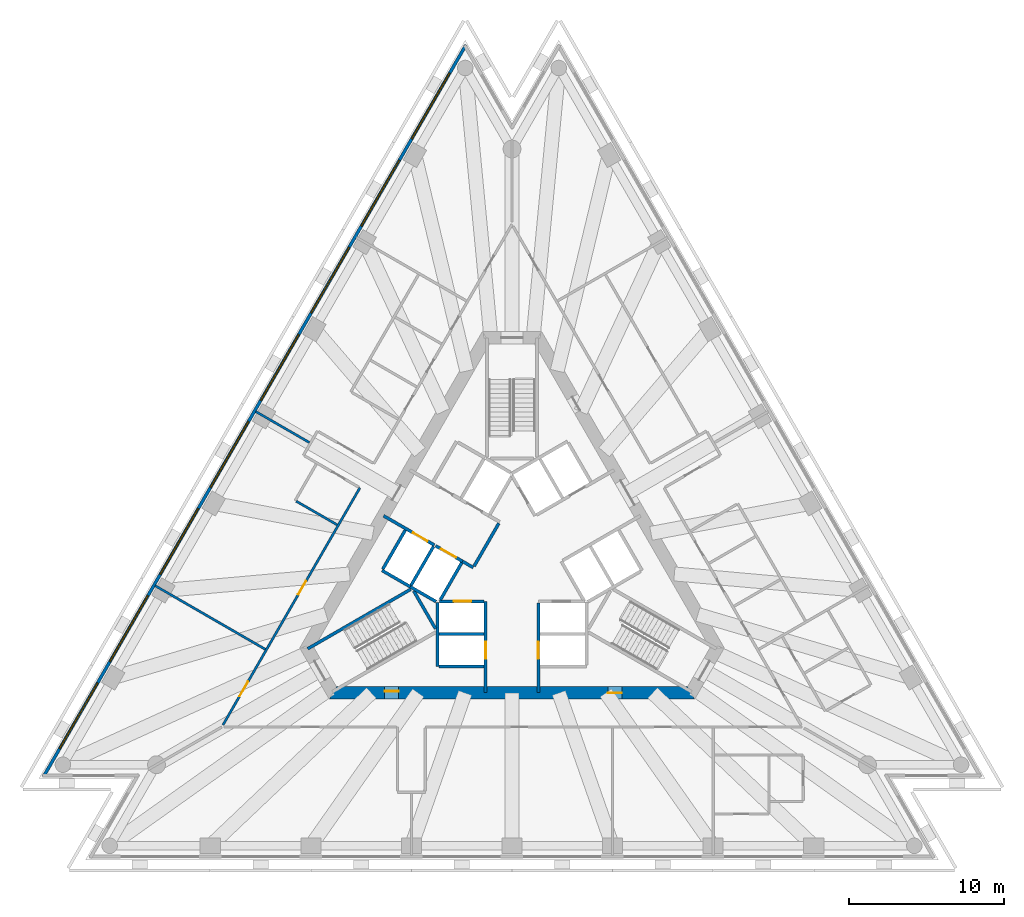
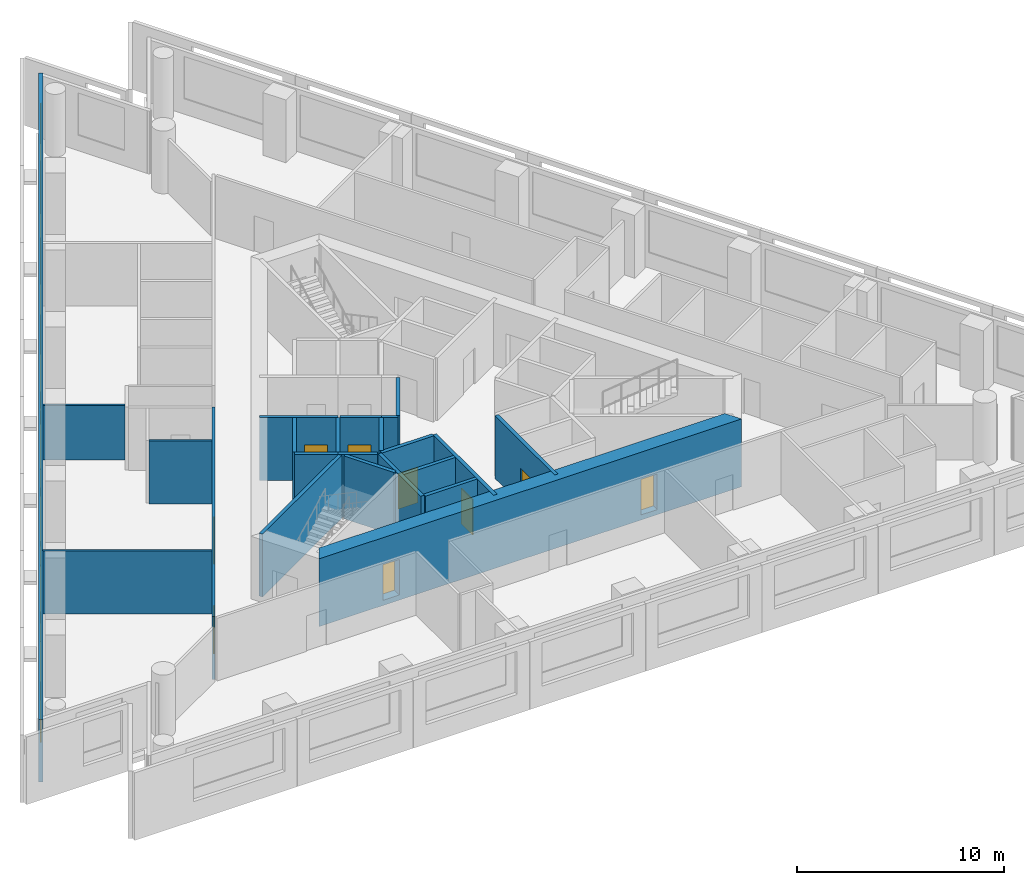
# One storey, part 3 of 9: 23 walls, 9 doors, 8 windows, 17 openings.
"""IFC4 building model written with IfcOpenShell, lengths in metres."""

from ifc_helpers import new_model, si_unit, direction, frame, frame_2d, origin, place, context, subcontext, project, spatial, polyline, rectangle, outline, extrude, material, layer, layer_set, layer_usage, type_object, element, fill, save


model = new_model("IFC4")

# Units and contexts
model_context = context("Model", 3, precision=1e-05, world=origin(), true_north=direction((0.0, 1.0)))
body_context = subcontext(model_context, "Body", "Model", "MODEL_VIEW")
ifc_project = project(units=[si_unit("LENGTHUNIT", "METRE"), si_unit("AREAUNIT", "SQUARE_METRE"), si_unit("VOLUMEUNIT", "CUBIC_METRE"), si_unit("PLANEANGLEUNIT", "RADIAN"), si_unit("MASSUNIT", "GRAM", prefix="KILO")], contexts=[model_context])

# Site, building, storey
site_placement = place(None, origin())
site = spatial("IfcSite", under=ifc_project, at=site_placement, CompositionType="ELEMENT")
building_placement = place(site_placement, origin())
building = spatial("IfcBuilding", under=site, at=building_placement, Name="Triada Interchange Tower", CompositionType="ELEMENT")
storey_placement = place(building_placement, frame((0.0, 0.0, 164.300048828125)))
storey = spatial("IfcBuildingStorey", under=building, at=storey_placement, Name="L38", CompositionType="ELEMENT", Elevation=164.300048828125)

# Walls
ifc_material_1 = material(Name="Concrete C30/37", Category="concrete")
ifc_layer_1 = layer(ifc_material_1, 0.199951171875)
ifc_layer_set_1 = layer_set([ifc_layer_1], Name="CORE WALL 200 EI 120")
wall_type_1 = type_object("IfcWallType", Name="CORE WALL 200 EI 120", PredefinedType="SOLIDWALL", material=ifc_layer_set_1)
wall_1_placement = place(storey_placement, frame((-8.3759765625, -0.70703125, 0.0), z_axis=(0.0, 0.0, 1.0), x_axis=(0.866067520717, -0.499927044236, 0.0)))
element("IfcWall", 1, at=wall_1_placement, inside=storey, type_object=wall_type_1, Name="Wall L38 48", PredefinedType="SOLIDWALL", context=body_context, shape_type="SweptSolid", body=[
    extrude(rectangle(XDim=2.100341796875, YDim=0.199951171875, at=frame_2d((1.05029296875, 0.0))), origin(), (0.0, 0.0, 1.0), 3.699951171875),
])
wall_2_placement = place(storey_placement, frame((-8.325927734375, -0.6201171875, 0.0), z_axis=(0.0, 0.0, 1.0), x_axis=(0.500023687443, 0.866011727401, 0.0)))
element("IfcWall", 2, at=wall_2_placement, inside=storey, type_object=wall_type_1, Name="Wall L38 49", PredefinedType="SOLIDWALL", context=body_context, shape_type="SweptSolid", body=[
    extrude(rectangle(XDim=2.899658203125, YDim=0.199951171875, at=frame_2d((1.44970703125, 0.0))), origin(), (0.0, 0.0, 1.0), 3.699951171875),
])
wall_3_placement = place(storey_placement, frame((-4.800048828125, -6.89990234375, 0.0), z_axis=(0.0, 0.0, 1.0), x_axis=(0.0, 1.0, 0.0)))
element("IfcWall", 3, at=wall_3_placement, inside=storey, type_object=wall_type_1, Name="Wall L38 50", PredefinedType="SOLIDWALL", context=body_context, shape_type="SweptSolid", body=[
    extrude(rectangle(XDim=4.130859375, YDim=0.199951171875, at=frame_2d((2.0654296875, 0.0))), origin(), (0.0, 0.0, 1.0), 3.699951171875),
])
for number, where, z_axis, x_axis, name in (
    (4, (-4.699951171875, -6.89990234375, 0.0), (0.0, 0.0, 1.0), (1.0, 0.0, 0.0), "Wall L38 51"),
    (5, (-4.699951171875, -4.800048828125, 0.0), (0.0, 0.0, 1.0), (1.0, 0.0, 0.0), "Wall L38 53"),
):
    element("IfcWall", number, at=place(storey_placement, frame(where, z_axis=z_axis, x_axis=x_axis)), inside=storey, type_object=wall_type_1, Name=name, PredefinedType="SOLIDWALL", context=body_context, shape_type="SweptSolid", body=[
        extrude(rectangle(XDim=2.89990234375, YDim=0.199951171875, at=frame_2d((1.449951171875, 0.0))), origin(), (0.0, 0.0, 1.0), 3.699951171875),
    ])

# Wall, opening, door
wall_4_placement = place(storey_placement, frame((-1.699951171875, -8.580078125, 0.0), z_axis=(0.0, 0.0, 1.0), x_axis=(0.0, 1.0, 0.0)))
wall_4 = element("IfcWall", 6, at=wall_4_placement, inside=storey, type_object=wall_type_1, Name="Wall L38 55", PredefinedType="SOLIDWALL", context=body_context, shape_type="SweptSolid", body=[
    extrude(rectangle(XDim=5.877197265625, YDim=0.199951171875, at=frame_2d((2.9384765625, 0.0))), origin(), (0.0, 0.0, 1.0), 3.699951171875),
])
opening_1_placement = place(wall_4_placement, frame((2.179931640625, 0.0, 0.0)))
opening_1 = element("IfcOpeningElement", 7, at=opening_1_placement, cuts=wall_4, Name="Opening LD-LR4", PredefinedType="OPENING", context=body_context, shape_type="SweptSolid", body=[
    extrude(rectangle(XDim=1.10009765625, YDim=2.10009765625, at=frame_2d((0.550048828125, 1.050048828125))), frame((0.0, 0.10986328125, 0.0), z_axis=(0.0, -1.0, 0.0), x_axis=(1.0, 0.0, 0.0)), (0.0, 0.0, 1.0), 0.219970703125),
])
ifc_material_2 = material(Name="Steel S235 door leaf", Category="steel")
door_type_1 = type_object("IfcDoorType", Name="LIFT LANDING DOOR 1100 EI 120", OperationType="SLIDING_TO_LEFT", PredefinedType="DOOR", material=ifc_material_2)
door_1_placement = place(opening_1_placement, origin())
door_1 = element("IfcDoor", 8, at=door_1_placement, inside=storey, type_object=door_type_1, Name="LR4 landing door L38", OperationType="SLIDING_TO_LEFT", OverallHeight=2.10009765625, OverallWidth=1.10009765625, PredefinedType="DOOR", context=body_context, shape_type="SweptSolid", body=[
    extrude(rectangle(XDim=1.10009765625, YDim=2.10009765625, at=frame_2d((0.550048828125, 1.050048828125))), frame((0.0, 0.02490234375, 0.0), z_axis=(0.0, -1.0, 0.0), x_axis=(1.0, 0.0, 0.0)), (0.0, 0.0, 1.0), 0.050048828125),
])
fill(opening_1, door_1)

wall_5_placement = place(storey_placement, frame((-4.676025390625, -2.699951171875, 0.0), z_axis=(0.0, 0.0, 1.0), x_axis=(1.0, 0.0, 0.0)))
wall_5 = element("IfcWall", 9, at=wall_5_placement, inside=storey, type_object=wall_type_1, Name="Wall L38 56", PredefinedType="SOLIDWALL", context=body_context, shape_type="SweptSolid", body=[
    extrude(rectangle(XDim=2.873046875, YDim=0.199951171875, at=frame_2d((1.4365234375, 0.0))), origin(), (0.0, 0.0, 1.0), 3.699951171875),
])
opening_2_placement = place(wall_5_placement, frame((0.93701171875, 0.0, 0.0)))
opening_2 = element("IfcOpeningElement", 10, at=opening_2_placement, cuts=wall_5, Name="Opening LD-LR3", PredefinedType="OPENING", context=body_context, shape_type="SweptSolid", body=[
    extrude(rectangle(XDim=1.10009765625, YDim=2.10009765625, at=frame_2d((0.550048828125, 1.050048828125))), frame((0.0, 0.10986328125, 0.0), z_axis=(0.0, -1.0, 0.0), x_axis=(1.0, 0.0, 0.0)), (0.0, 0.0, 1.0), 0.219970703125),
])
door_2_placement = place(opening_2_placement, origin())
door_2 = element("IfcDoor", 11, at=door_2_placement, inside=storey, type_object=door_type_1, Name="LR3 landing door L38", OperationType="SLIDING_TO_LEFT", OverallHeight=2.10009765625, OverallWidth=1.10009765625, PredefinedType="DOOR", context=body_context, shape_type="SweptSolid", body=[
    extrude(rectangle(XDim=1.10009765625, YDim=2.10009765625, at=frame_2d((0.550048828125, 1.050048828125))), frame((0.0, 0.02490234375, 0.0), z_axis=(0.0, -1.0, 0.0), x_axis=(1.0, 0.0, 0.0)), (0.0, 0.0, 1.0), 0.050048828125),
])
fill(opening_2, door_2)

wall_6_placement = place(storey_placement, frame((1.699951171875, -8.580078125, 0.0), z_axis=(0.0, 0.0, 1.0), x_axis=(0.0, 1.0, 0.0)))
wall_6 = element("IfcWall", 12, at=wall_6_placement, inside=storey, type_object=wall_type_1, Name="Wall L38 62", PredefinedType="SOLIDWALL", context=body_context, shape_type="SweptSolid", body=[
    extrude(rectangle(XDim=5.777099609375, YDim=0.199951171875, at=frame_2d((2.888671875, 0.0))), origin(), (0.0, 0.0, 1.0), 3.699951171875),
])
opening_3_placement = place(wall_6_placement, frame((2.179931640625, 0.0, 0.0)))
opening_3 = element("IfcOpeningElement", 13, at=opening_3_placement, cuts=wall_6, Name="Opening LD-LR2", PredefinedType="OPENING", context=body_context, shape_type="SweptSolid", body=[
    extrude(rectangle(XDim=1.10009765625, YDim=2.10009765625, at=frame_2d((0.550048828125, 1.050048828125))), frame((0.0, 0.10986328125, 0.0), z_axis=(0.0, -1.0, 0.0), x_axis=(1.0, 0.0, 0.0)), (0.0, 0.0, 1.0), 0.219970703125),
])
door_3_placement = place(opening_3_placement, origin())
door_3 = element("IfcDoor", 14, at=door_3_placement, inside=storey, type_object=door_type_1, Name="LR2 landing door L38", OperationType="SLIDING_TO_LEFT", OverallHeight=2.10009765625, OverallWidth=1.10009765625, PredefinedType="DOOR", context=body_context, shape_type="SweptSolid", body=[
    extrude(rectangle(XDim=1.10009765625, YDim=2.10009765625, at=frame_2d((0.550048828125, 1.050048828125))), frame((0.0, 0.02490234375, 0.0), z_axis=(0.0, -1.0, 0.0), x_axis=(1.0, 0.0, 0.0)), (0.0, 0.0, 1.0), 0.050048828125),
])
fill(opening_3, door_3)

ifc_layer_2 = layer(ifc_material_1, 0.199951171875)
ifc_layer_set_2 = layer_set([ifc_layer_2], Name="CORE WALL 200 EI 180")
wall_type_2 = type_object("IfcWallType", Name="CORE WALL 200 EI 180", PredefinedType="SOLIDWALL", material=ifc_layer_set_2)
wall_7_placement = place(storey_placement, frame((-8.280029296875, 2.818115234375, 0.0), z_axis=(0.0, 0.0, 1.0), x_axis=(0.86600175068, -0.50004096614, 0.0)))
wall_7 = element("IfcWall", 15, at=wall_7_placement, inside=storey, type_object=wall_type_2, Name="Wall L38 70", PredefinedType="SOLIDWALL", context=body_context, shape_type="SweptSolid", body=[
    extrude(rectangle(XDim=3.781982421875, YDim=0.199951171875, at=frame_2d((1.89111328125, 0.0))), origin(), (0.0, 0.0, 1.0), 3.699951171875),
])
opening_4_placement = place(wall_7_placement, frame((2.179931640625, 0.0, 0.0)))
opening_4 = element("IfcOpeningElement", 16, at=opening_4_placement, cuts=wall_7, Name="Opening LD-SV1", PredefinedType="OPENING", context=body_context, shape_type="SweptSolid", body=[
    extrude(rectangle(XDim=1.10009765625, YDim=2.10009765625, at=frame_2d((0.550048828125, 1.050048828125))), frame((0.0, 0.10986328125, 0.0), z_axis=(0.0, -1.0, 0.0), x_axis=(1.0, 0.0, 0.0)), (0.0, 0.0, 1.0), 0.219970703125),
])
door_4_placement = place(opening_4_placement, origin())
door_4 = element("IfcDoor", 17, at=door_4_placement, inside=storey, type_object=door_type_1, Name="SV1 landing door L38", OperationType="SLIDING_TO_LEFT", OverallHeight=2.10009765625, OverallWidth=1.10009765625, PredefinedType="DOOR", context=body_context, shape_type="SweptSolid", body=[
    extrude(rectangle(XDim=1.10009765625, YDim=2.10009765625, at=frame_2d((0.550048828125, 1.050048828125))), frame((0.0, 0.02490234375, 0.0), z_axis=(0.0, -1.0, 0.0), x_axis=(1.0, 0.0, 0.0)), (0.0, 0.0, 1.0), 0.050048828125),
])
fill(opening_4, door_4)

# Walls
wall_8_placement = place(storey_placement, frame((-3.18798828125, -0.1220703125, 0.0), z_axis=(0.0, 0.0, 1.0), x_axis=(0.865705793592, -0.50055317294, 0.0)))
element("IfcWall", 18, at=wall_8_placement, inside=storey, type_object=wall_type_2, Name="Wall L38 71", PredefinedType="SOLIDWALL", context=body_context, shape_type="SweptSolid", body=[
    extrude(rectangle(XDim=0.796875, YDim=0.199951171875, at=frame_2d((0.3984375, 0.0))), origin(), (0.0, 0.0, 1.0), 3.699951171875),
])
wall_9_placement = place(storey_placement, frame((-2.444091796875, -0.43310546875, 0.0), z_axis=(0.0, 0.0, 1.0), x_axis=(0.500035624827, 0.866004834804, 0.0)))
element("IfcWall", 19, at=wall_9_placement, inside=storey, type_object=wall_type_2, Name="Wall L38 76", PredefinedType="SOLIDWALL", context=body_context, shape_type="SweptSolid", body=[
    extrude(rectangle(XDim=3.194091796875, YDim=0.199951171875, at=frame_2d((1.59716796875, 0.0))), origin(), (0.0, 0.0, 1.0), 3.699951171875),
])
wall_10_placement = place(storey_placement, frame((-6.556884765625, -1.757080078125, 0.0), z_axis=(0.0, 0.0, 1.0), x_axis=(0.8659754619, -0.500086491905, 0.0)))
element("IfcWall", 20, at=wall_10_placement, inside=storey, type_object=wall_type_2, Name="Shaft wall FF1 L38 77", PredefinedType="SOLIDWALL", context=body_context, shape_type="SweptSolid", body=[
    extrude(rectangle(XDim=1.915771484375, YDim=0.199951171875, at=frame_2d((0.9580078125, 0.0))), origin(), (0.0, 0.0, 1.0), 3.699951171875),
])
wall_11_placement = place(storey_placement, frame((-6.507080078125, -1.669921875, 0.0), z_axis=(0.0, 0.0, 1.0), x_axis=(0.50012328804, 0.865954211699, 0.0)))
element("IfcWall", 21, at=wall_11_placement, inside=storey, type_object=wall_type_2, Name="Shaft wall FF1 L38 78", PredefinedType="SOLIDWALL", context=body_context, shape_type="SweptSolid", body=[
    extrude(rectangle(XDim=2.899658203125, YDim=0.199951171875, at=frame_2d((1.44970703125, 0.0))), origin(), (0.0, 0.0, 1.0), 3.699951171875),
])

# Wall, opening, door
wall_12_placement = place(storey_placement, frame((-4.919921875, 0.8779296875, 0.0), z_axis=(0.0, 0.0, 1.0), x_axis=(0.866010750942, -0.50002537861, 0.0)))
wall_12 = element("IfcWall", 22, at=wall_12_placement, inside=storey, type_object=wall_type_2, Name="Shaft wall FF1 L38 79", PredefinedType="SOLIDWALL", context=body_context, shape_type="SweptSolid", body=[
    extrude(rectangle(XDim=2.0, YDim=0.199951171875, at=frame_2d((1.0, 0.0))), origin(), (0.0, 0.0, 1.0), 3.699951171875),
])
opening_5_placement = place(wall_12_placement, frame((0.39990234375, 0.0, 0.0)))
opening_5 = element("IfcOpeningElement", 23, at=opening_5_placement, cuts=wall_12, Name="Opening LD-FF1", PredefinedType="OPENING", context=body_context, shape_type="SweptSolid", body=[
    extrude(rectangle(XDim=1.10009765625, YDim=2.10009765625, at=frame_2d((0.550048828125, 1.050048828125))), frame((0.0, 0.10986328125, 0.0), z_axis=(0.0, -1.0, 0.0), x_axis=(1.0, 0.0, 0.0)), (0.0, 0.0, 1.0), 0.219970703125),
])
door_5_placement = place(opening_5_placement, origin())
door_5 = element("IfcDoor", 24, at=door_5_placement, inside=storey, type_object=door_type_1, Name="FF1 landing door L38", OperationType="SLIDING_TO_LEFT", OverallHeight=2.10009765625, OverallWidth=1.10009765625, PredefinedType="DOOR", context=body_context, shape_type="SweptSolid", body=[
    extrude(rectangle(XDim=1.10009765625, YDim=2.10009765625, at=frame_2d((0.550048828125, 1.050048828125))), frame((0.0, 0.02490234375, 0.0), z_axis=(0.0, -1.0, 0.0), x_axis=(1.0, 0.0, 0.0)), (0.0, 0.0, 1.0), 0.050048828125),
])
fill(opening_5, door_5)

# Walls
wall_13_placement = place(storey_placement, frame((-4.618896484375, -2.60009765625, 0.0), z_axis=(0.0, 0.0, 1.0), x_axis=(0.50009492287, 0.865970593103, 0.0)))
element("IfcWall", 25, at=wall_13_placement, inside=storey, type_object=wall_type_2, Name="Shaft wall FF1 L38 80", PredefinedType="SOLIDWALL", context=body_context, shape_type="SweptSolid", body=[
    extrude(rectangle(XDim=2.76123046875, YDim=0.199951171875, at=frame_2d((1.380615234375, 0.0))), origin(), (0.0, 0.0, 1.0), 3.699951171875),
])
ifc_layer_3 = layer(ifc_material_1, 0.199951171875)
ifc_layer_set_3 = layer_set([ifc_layer_3], Name="CORE WALL 200 REI 240")
wall_type_3 = type_object("IfcWallType", Name="CORE WALL 200 REI 240", PredefinedType="SOLIDWALL", material=ifc_layer_set_3)
wall_14_placement = place(storey_placement, frame((-13.1669921875, -5.75390625, 0.0), z_axis=(0.0, 0.0, 1.0), x_axis=(0.866060938598, 0.499938446846, 0.0)))
element("IfcWall", 26, at=wall_14_placement, inside=storey, type_object=wall_type_3, Name="Wall L38 85", PredefinedType="SOLIDWALL", context=body_context, shape_type="SweptSolid", body=[
    extrude(rectangle(XDim=7.66455078125, YDim=0.199951171875, at=frame_2d((3.832275390625, 0.0))), origin(), (0.0, 0.0, 1.0), 3.699951171875),
])
wall_15_placement = place(storey_placement, frame((-6.3291015625, -2.0380859375, 0.0), z_axis=(0.0, 0.0, 1.0), x_axis=(0.500200581029, -0.865909567298, 0.0)))
element("IfcWall", 27, at=wall_15_placement, inside=storey, type_object=wall_type_3, Name="Wall L38 86", PredefinedType="SOLIDWALL", context=body_context, shape_type="SweptSolid", body=[
    extrude(rectangle(XDim=2.799072265625, YDim=0.199951171875, at=frame_2d((1.3994140625, 0.0))), origin(), (0.0, 0.0, 1.0), 3.699951171875),
])

# Wall, openings, doors
ifc_material_3 = material(Name="Concrete C60/75", Category="concrete")
ifc_layer_4 = layer(ifc_material_3, 0.800048828125)
ifc_layer_set_4 = layer_set([ifc_layer_4], Name="Core wall B 800")
wall_type_4 = type_object("IfcWallType", Name="Core wall B 800", PredefinedType="SHEAR", material=ifc_layer_set_4)
wall_16_placement = place(storey_placement, frame((-11.547119140625, -8.60009765625, -0.300048828125), z_axis=(0.0, 0.0, 1.0), x_axis=(1.0, 0.0, 0.0)))
wall_16 = element("IfcWall", 28, at=wall_16_placement, inside=storey, type_object=wall_type_4, Name="Core wall WB04 L38", PredefinedType="SHEAR", context=body_context, shape_type="SweptSolid", body=[
    extrude(outline(polyline([(-0.23095703125, -0.39990234375), (1.73193359375, -0.39990234375), (3.695068359375, -0.39990234375), (5.657958984375, -0.39990234375), (7.62109375, -0.39990234375), (9.583984375, -0.39990234375), (11.546875, -0.39990234375), (13.510009765625, -0.39990234375), (15.472900390625, -0.39990234375), (17.43603515625, -0.39990234375), (19.39892578125, -0.39990234375), (21.362060546875, -0.39990234375), (23.324951171875, -0.39990234375), (22.863037109375, 0.39990234375), (20.97705078125, 0.39990234375), (19.091064453125, 0.39990234375), (17.205078125, 0.39990234375), (15.319091796875, 0.39990234375), (13.43310546875, 0.39990234375), (11.546875, 0.39990234375), (9.660888671875, 0.39990234375), (7.77490234375, 0.39990234375), (5.888916015625, 0.39990234375), (4.0029296875, 0.39990234375), (2.116943359375, 0.39990234375), (0.23095703125, 0.39990234375), (-0.23095703125, -0.39990234375)])), origin(), (0.0, 0.0, 1.0), 4.0),
])
opening_6_placement = place(wall_16_placement, frame((3.340087890625, 0.0, 0.300048828125)))
opening_6 = element("IfcOpeningElement", 29, at=opening_6_placement, cuts=wall_16, Name="Opening D38-40", PredefinedType="OPENING", context=body_context, shape_type="SweptSolid", body=[
    extrude(rectangle(XDim=0.89990234375, YDim=2.10009765625, at=frame_2d((0.449951171875, 1.050048828125))), frame((0.0, 0.409912109375, 0.0), z_axis=(0.0, -1.0, 0.0), x_axis=(1.0, 0.0, 0.0)), (0.0, 0.0, 1.0), 0.820068359375),
])
opening_7_placement = place(wall_16_placement, frame((17.721923828125, 0.0, 0.300048828125)))
opening_7 = element("IfcOpeningElement", 30, at=opening_7_placement, cuts=wall_16, Name="Opening D38-42", PredefinedType="OPENING", context=body_context, shape_type="SweptSolid", body=[
    extrude(rectangle(XDim=0.89990234375, YDim=2.10009765625, at=frame_2d((0.449951171875, 1.050048828125))), frame((0.0, 0.409912109375, 0.0), z_axis=(0.0, -1.0, 0.0), x_axis=(1.0, 0.0, 0.0)), (0.0, 0.0, 1.0), 0.820068359375),
])
door_type_2 = type_object("IfcDoorType", Name="RISER ACCESS DOOR 900 EI2 45-C5S200", OperationType="NOTDEFINED", PredefinedType="DOOR", material=ifc_material_2)
door_6_placement = place(opening_7_placement, origin())
door_6 = element("IfcDoor", 31, at=door_6_placement, inside=storey, type_object=door_type_2, Name="Door D38-42 L38", OperationType="SINGLE_SWING_LEFT", OverallHeight=2.10009765625, OverallWidth=0.89990234375, PredefinedType="DOOR", context=body_context, shape_type="SweptSolid", body=[
    extrude(rectangle(XDim=0.89990234375, YDim=2.10009765625, at=frame_2d((0.449951171875, 1.050048828125))), frame((0.0, 0.02490234375, 0.0), z_axis=(0.0, -1.0, 0.0), x_axis=(1.0, 0.0, 0.0)), (0.0, 0.0, 1.0), 0.050048828125),
])
fill(opening_7, door_6)
door_type_3 = type_object("IfcDoorType", Name="SERVICE DOOR 900 EI2 45-C5S200", OperationType="NOTDEFINED", PredefinedType="DOOR", material=ifc_material_2)
door_7_placement = place(opening_6_placement, origin())
door_7 = element("IfcDoor", 32, at=door_7_placement, inside=storey, type_object=door_type_3, Name="Door D38-40 L38", OperationType="SINGLE_SWING_LEFT", OverallHeight=2.10009765625, OverallWidth=0.89990234375, PredefinedType="DOOR", context=body_context, shape_type="SweptSolid", body=[
    extrude(rectangle(XDim=0.89990234375, YDim=2.10009765625, at=frame_2d((0.449951171875, 1.050048828125))), frame((0.0, 0.125, 0.0), z_axis=(0.0, -1.0, 0.0), x_axis=(1.0, 0.0, 0.0)), (0.0, 0.0, 1.0), 0.050048828125),
])
fill(opening_6, door_7)

# Wall, openings, windows
ifc_material_4 = material(Name="Cement board")
ifc_layer_5 = layer(ifc_material_4, 0.02001953125, Name="Cement board cladding")
ifc_material_5 = material(Name="Sheathing board")
ifc_layer_6 = layer(ifc_material_5, 0.014892578125, Name="Sheathing board")
ifc_material_6 = material(Name="Mineral wool")
ifc_layer_7 = layer(ifc_material_6, 0.14990234375, Name="Mineral wool between steel studs")
ifc_material_7 = material(Name="Gypsum board")
ifc_layer_8 = layer(ifc_material_7, 0.014892578125, Name="Plasterboard lining")
ifc_layer_set_5 = layer_set([ifc_layer_5, ifc_layer_6, ifc_layer_7, ifc_layer_8], Name="External wall 200")
ifc_layer_usage = layer_usage(ifc_layer_set_5, "AXIS2", "POSITIVE", -0.10009765625)
wall_type_5 = type_object("IfcWallType", Name="External wall 200", PredefinedType="ELEMENTEDWALL", material=ifc_layer_set_5)
wall_17_placement = place(storey_placement, frame((-2.971923828125, 33.159912109375, 0.0), z_axis=(0.0, 0.0, 1.0), x_axis=(-0.500009959561, -0.866019653553, 0.0)))
wall_17 = element("IfcWall", 33, at=wall_17_placement, inside=storey, type_object=wall_type_5, material=ifc_layer_usage, Name="External wall L38 NW", PredefinedType="ELEMENTEDWALL", context=body_context, shape_type="SweptSolid", body=[
    extrude(rectangle(XDim=54.443359375, YDim=0.199951171875, at=frame_2d((27.2216796875, 0.0))), origin(), (0.0, 0.0, 1.0), 3.699951171875),
])
opening_8_placement = place(wall_17_placement, frame((2.093994140625, 0.0, 0.89990234375)))
opening_8 = element("IfcOpeningElement", 34, at=opening_8_placement, cuts=wall_17, Name="Opening WB01", PredefinedType="OPENING", context=body_context, shape_type="SweptSolid", body=[
    extrude(rectangle(XDim=4.89990234375, YDim=2.5, at=frame_2d((2.449951171875, 1.25))), frame((0.0, 0.10986328125, 0.0), z_axis=(0.0, -1.0, 0.0), x_axis=(1.0, 0.0, 0.0)), (0.0, 0.0, 1.0), 0.219970703125),
])
opening_9_placement = place(wall_17_placement, frame((8.575927734375, 0.0, 0.89990234375)))
opening_9 = element("IfcOpeningElement", 35, at=opening_9_placement, cuts=wall_17, Name="Opening WB02", PredefinedType="OPENING", context=body_context, shape_type="SweptSolid", body=[
    extrude(rectangle(XDim=4.89990234375, YDim=2.5, at=frame_2d((2.449951171875, 1.25))), frame((0.0, 0.10986328125, 0.0), z_axis=(0.0, -1.0, 0.0), x_axis=(1.0, 0.0, 0.0)), (0.0, 0.0, 1.0), 0.219970703125),
])
opening_10_placement = place(wall_17_placement, frame((15.05810546875, 0.0, 0.89990234375)))
opening_10 = element("IfcOpeningElement", 36, at=opening_10_placement, cuts=wall_17, Name="Opening WB03", PredefinedType="OPENING", context=body_context, shape_type="SweptSolid", body=[
    extrude(rectangle(XDim=4.89990234375, YDim=2.5, at=frame_2d((2.449951171875, 1.25))), frame((0.0, 0.10986328125, 0.0), z_axis=(0.0, -1.0, 0.0), x_axis=(1.0, 0.0, 0.0)), (0.0, 0.0, 1.0), 0.219970703125),
])
opening_11_placement = place(wall_17_placement, frame((21.5400390625, 0.0, 0.89990234375)))
opening_11 = element("IfcOpeningElement", 37, at=opening_11_placement, cuts=wall_17, Name="Opening WB04", PredefinedType="OPENING", context=body_context, shape_type="SweptSolid", body=[
    extrude(rectangle(XDim=4.89990234375, YDim=2.5, at=frame_2d((2.449951171875, 1.25))), frame((0.0, 0.10986328125, 0.0), z_axis=(0.0, -1.0, 0.0), x_axis=(1.0, 0.0, 0.0)), (0.0, 0.0, 1.0), 0.219970703125),
])
opening_12_placement = place(wall_17_placement, frame((28.02197265625, 0.0, 0.89990234375)))
opening_12 = element("IfcOpeningElement", 38, at=opening_12_placement, cuts=wall_17, Name="Opening WB05", PredefinedType="OPENING", context=body_context, shape_type="SweptSolid", body=[
    extrude(rectangle(XDim=4.89990234375, YDim=2.5, at=frame_2d((2.449951171875, 1.25))), frame((0.0, 0.10986328125, 0.0), z_axis=(0.0, -1.0, 0.0), x_axis=(1.0, 0.0, 0.0)), (0.0, 0.0, 1.0), 0.219970703125),
])
opening_13_placement = place(wall_17_placement, frame((34.5048828125, 0.0, 0.89990234375)))
opening_13 = element("IfcOpeningElement", 39, at=opening_13_placement, cuts=wall_17, Name="Opening WB06", PredefinedType="OPENING", context=body_context, shape_type="SweptSolid", body=[
    extrude(rectangle(XDim=4.89990234375, YDim=2.5, at=frame_2d((2.449951171875, 1.25))), frame((0.0, 0.10986328125, 0.0), z_axis=(0.0, -1.0, 0.0), x_axis=(1.0, 0.0, 0.0)), (0.0, 0.0, 1.0), 0.219970703125),
])
opening_14_placement = place(wall_17_placement, frame((40.987060546875, 0.0, 0.89990234375)))
opening_14 = element("IfcOpeningElement", 40, at=opening_14_placement, cuts=wall_17, Name="Opening WB07", PredefinedType="OPENING", context=body_context, shape_type="SweptSolid", body=[
    extrude(rectangle(XDim=4.89990234375, YDim=2.5, at=frame_2d((2.449951171875, 1.25))), frame((0.0, 0.10986328125, 0.0), z_axis=(0.0, -1.0, 0.0), x_axis=(1.0, 0.0, 0.0)), (0.0, 0.0, 1.0), 0.219970703125),
])
opening_15_placement = place(wall_17_placement, frame((47.468994140625, 0.0, 0.89990234375)))
opening_15 = element("IfcOpeningElement", 41, at=opening_15_placement, cuts=wall_17, Name="Opening WB08", PredefinedType="OPENING", context=body_context, shape_type="SweptSolid", body=[
    extrude(rectangle(XDim=4.89990234375, YDim=2.5, at=frame_2d((2.449951171875, 1.25))), frame((0.0, 0.10986328125, 0.0), z_axis=(0.0, -1.0, 0.0), x_axis=(1.0, 0.0, 0.0)), (0.0, 0.0, 1.0), 0.219970703125),
])
ifc_material_8 = material(Name="Double glazed aluminium window", Category="aluminium")
window_type = type_object("IfcWindowType", Name="Ribbon window B face", PartitioningType="SINGLE_PANEL", PredefinedType="WINDOW", material=ifc_material_8)
window_1_placement = place(opening_8_placement, origin())
window_1 = element("IfcWindow", 42, at=window_1_placement, inside=storey, type_object=window_type, Name="Window L38 NW 1", OverallHeight=2.5, OverallWidth=4.89990234375, PartitioningType="SINGLE_PANEL", PredefinedType="WINDOW", context=body_context, shape_type="SweptSolid", body=[
    extrude(rectangle(XDim=4.89990234375, YDim=2.5, at=frame_2d((2.449951171875, 1.25))), frame((0.0, 0.030029296875, 0.0), z_axis=(0.0, -1.0, 0.0), x_axis=(1.0, 0.0, 0.0)), (0.0, 0.0, 1.0), 0.06005859375),
])
fill(opening_8, window_1)
window_2_placement = place(opening_9_placement, origin())
window_2 = element("IfcWindow", 43, at=window_2_placement, inside=storey, type_object=window_type, Name="Window L38 NW 2", OverallHeight=2.5, OverallWidth=4.89990234375, PartitioningType="SINGLE_PANEL", PredefinedType="WINDOW", context=body_context, shape_type="SweptSolid", body=[
    extrude(rectangle(XDim=4.89990234375, YDim=2.5, at=frame_2d((2.449951171875, 1.25))), frame((0.0, 0.030029296875, 0.0), z_axis=(0.0, -1.0, 0.0), x_axis=(1.0, 0.0, 0.0)), (0.0, 0.0, 1.0), 0.06005859375),
])
fill(opening_9, window_2)
window_3_placement = place(opening_10_placement, origin())
window_3 = element("IfcWindow", 44, at=window_3_placement, inside=storey, type_object=window_type, Name="Window L38 NW 3", OverallHeight=2.5, OverallWidth=4.89990234375, PartitioningType="SINGLE_PANEL", PredefinedType="WINDOW", context=body_context, shape_type="SweptSolid", body=[
    extrude(rectangle(XDim=4.89990234375, YDim=2.5, at=frame_2d((2.449951171875, 1.25))), frame((0.0, 0.030029296875, 0.0), z_axis=(0.0, -1.0, 0.0), x_axis=(1.0, 0.0, 0.0)), (0.0, 0.0, 1.0), 0.06005859375),
])
fill(opening_10, window_3)
window_4_placement = place(opening_11_placement, origin())
window_4 = element("IfcWindow", 45, at=window_4_placement, inside=storey, type_object=window_type, Name="Window L38 NW 4", OverallHeight=2.5, OverallWidth=4.89990234375, PartitioningType="SINGLE_PANEL", PredefinedType="WINDOW", context=body_context, shape_type="SweptSolid", body=[
    extrude(rectangle(XDim=4.89990234375, YDim=2.5, at=frame_2d((2.449951171875, 1.25))), frame((0.0, 0.030029296875, 0.0), z_axis=(0.0, -1.0, 0.0), x_axis=(1.0, 0.0, 0.0)), (0.0, 0.0, 1.0), 0.06005859375),
])
fill(opening_11, window_4)
window_5_placement = place(opening_12_placement, origin())
window_5 = element("IfcWindow", 46, at=window_5_placement, inside=storey, type_object=window_type, Name="Window L38 NW 5", OverallHeight=2.5, OverallWidth=4.89990234375, PartitioningType="SINGLE_PANEL", PredefinedType="WINDOW", context=body_context, shape_type="SweptSolid", body=[
    extrude(rectangle(XDim=4.89990234375, YDim=2.5, at=frame_2d((2.449951171875, 1.25))), frame((0.0, 0.030029296875, 0.0), z_axis=(0.0, -1.0, 0.0), x_axis=(1.0, 0.0, 0.0)), (0.0, 0.0, 1.0), 0.06005859375),
])
fill(opening_12, window_5)
window_6_placement = place(opening_13_placement, origin())
window_6 = element("IfcWindow", 47, at=window_6_placement, inside=storey, type_object=window_type, Name="Window L38 NW 6", OverallHeight=2.5, OverallWidth=4.89990234375, PartitioningType="SINGLE_PANEL", PredefinedType="WINDOW", context=body_context, shape_type="SweptSolid", body=[
    extrude(rectangle(XDim=4.89990234375, YDim=2.5, at=frame_2d((2.449951171875, 1.25))), frame((0.0, 0.030029296875, 0.0), z_axis=(0.0, -1.0, 0.0), x_axis=(1.0, 0.0, 0.0)), (0.0, 0.0, 1.0), 0.06005859375),
])
fill(opening_13, window_6)
window_7_placement = place(opening_14_placement, origin())
window_7 = element("IfcWindow", 48, at=window_7_placement, inside=storey, type_object=window_type, Name="Window L38 NW 7", OverallHeight=2.5, OverallWidth=4.89990234375, PartitioningType="SINGLE_PANEL", PredefinedType="WINDOW", context=body_context, shape_type="SweptSolid", body=[
    extrude(rectangle(XDim=4.89990234375, YDim=2.5, at=frame_2d((2.449951171875, 1.25))), frame((0.0, 0.030029296875, 0.0), z_axis=(0.0, -1.0, 0.0), x_axis=(1.0, 0.0, 0.0)), (0.0, 0.0, 1.0), 0.06005859375),
])
fill(opening_14, window_7)
window_8_placement = place(opening_15_placement, origin())
window_8 = element("IfcWindow", 49, at=window_8_placement, inside=storey, type_object=window_type, Name="Window L38 NW 8", OverallHeight=2.5, OverallWidth=4.89990234375, PartitioningType="SINGLE_PANEL", PredefinedType="WINDOW", context=body_context, shape_type="SweptSolid", body=[
    extrude(rectangle(XDim=4.89990234375, YDim=2.5, at=frame_2d((2.449951171875, 1.25))), frame((0.0, 0.030029296875, 0.0), z_axis=(0.0, -1.0, 0.0), x_axis=(1.0, 0.0, 0.0)), (0.0, 0.0, 1.0), 0.06005859375),
])
fill(opening_15, window_8)

# Wall
ifc_material_9 = material(Name="Gypsum board partition")
ifc_layer_9 = layer(ifc_material_9, 0.14990234375)
ifc_layer_set_6 = layer_set([ifc_layer_9], Name="PARTITION 150 EI 180")
wall_type_6 = type_object("IfcWallType", Name="PARTITION 150 EI 180", PredefinedType="PARTITIONING", material=ifc_layer_set_6)
wall_18_placement = place(storey_placement, frame((-23.0009765625, -1.68994140625, 0.0), z_axis=(0.0, 0.0, 1.0), x_axis=(0.866010060309, -0.500026574738, 0.0)))
element("IfcWall", 50, at=wall_18_placement, inside=storey, type_object=wall_type_6, Name="Wall L38 3", PredefinedType="PARTITIONING", context=body_context, shape_type="SweptSolid", body=[
    extrude(rectangle(XDim=8.19970703125, YDim=0.14990234375, at=frame_2d((4.099853515625, 0.0))), origin(), (0.0, 0.0, 1.0), 3.699951171875),
])

# Wall, openings, doors
wall_19_placement = place(storey_placement, frame((-18.631103515625, -10.6689453125, 0.0), z_axis=(0.0, 0.0, 1.0), x_axis=(0.500000173646, 0.86602530353, 0.0)))
wall_19 = element("IfcWall", 51, at=wall_19_placement, inside=storey, type_object=wall_type_6, Name="Wall L38 8", PredefinedType="PARTITIONING", context=body_context, shape_type="SweptSolid", body=[
    extrude(rectangle(XDim=17.654296875, YDim=0.14990234375, at=frame_2d((8.8271484375, 0.0))), origin(), (0.0, 0.0, 1.0), 3.699951171875),
])
opening_16_placement = place(wall_19_placement, frame((9.705078125, 0.0, 0.0)))
opening_16 = element("IfcOpeningElement", 52, at=opening_16_placement, cuts=wall_19, Name="Opening D38-32", PredefinedType="OPENING", context=body_context, shape_type="SweptSolid", body=[
    extrude(rectangle(XDim=1.0, YDim=2.10009765625, at=frame_2d((0.5, 1.050048828125))), frame((0.0, 0.0849609375, 0.0), z_axis=(0.0, -1.0, 0.0), x_axis=(1.0, 0.0, 0.0)), (0.0, 0.0, 1.0), 0.169921875),
])
opening_17_placement = place(wall_19_placement, frame((2.14111328125, 0.0, 0.0)))
opening_17 = element("IfcOpeningElement", 53, at=opening_17_placement, cuts=wall_19, Name="Opening D38-34", PredefinedType="OPENING", context=body_context, shape_type="SweptSolid", body=[
    extrude(rectangle(XDim=1.10009765625, YDim=2.10009765625, at=frame_2d((0.550048828125, 1.050048828125))), frame((0.0, 0.0849609375, 0.0), z_axis=(0.0, -1.0, 0.0), x_axis=(1.0, 0.0, 0.0)), (0.0, 0.0, 1.0), 0.169921875),
])
door_type_4 = type_object("IfcDoorType", Name="ROOM DOOR 1000 EI2 90-C5S200", OperationType="NOTDEFINED", PredefinedType="DOOR", material=ifc_material_2)
door_8_placement = place(opening_16_placement, origin())
door_8 = element("IfcDoor", 54, at=door_8_placement, inside=storey, type_object=door_type_4, Name="Door D38-32 L38", OperationType="SINGLE_SWING_RIGHT", OverallHeight=2.10009765625, OverallWidth=1.0, PredefinedType="DOOR", context=body_context, shape_type="SweptSolid", body=[
    extrude(rectangle(XDim=1.0, YDim=2.10009765625, at=frame_2d((0.5, 1.050048828125))), frame((0.0, 0.02490234375, 0.0), z_axis=(0.0, -1.0, 0.0), x_axis=(1.0, 0.0, 0.0)), (0.0, 0.0, 1.0), 0.050048828125),
])
fill(opening_16, door_8)
door_type_5 = type_object("IfcDoorType", Name="TENANCY ENTRANCE DOOR 1100 EI2 90-C5S200", OperationType="NOTDEFINED", PredefinedType="DOOR", material=ifc_material_2)
door_9_placement = place(opening_17_placement, origin())
door_9 = element("IfcDoor", 55, at=door_9_placement, inside=storey, type_object=door_type_5, Name="Door D38-34 L38", OperationType="SINGLE_SWING_LEFT", OverallHeight=2.10009765625, OverallWidth=1.10009765625, PredefinedType="DOOR", context=body_context, shape_type="SweptSolid", body=[
    extrude(rectangle(XDim=1.10009765625, YDim=2.10009765625, at=frame_2d((0.550048828125, 1.050048828125))), frame((0.0, 0.02490234375, 0.0), z_axis=(0.0, -1.0, 0.0), x_axis=(1.0, 0.0, 0.0)), (0.0, 0.0, 1.0), 0.050048828125),
])
fill(opening_17, door_9)

# Walls
wall_20_placement = place(storey_placement, frame((-16.51904296875, 9.537109375, 0.0), z_axis=(0.0, 0.0, 1.0), x_axis=(0.866026010844, -0.49999894854, 0.0)))
element("IfcWall", 56, at=wall_20_placement, inside=storey, type_object=wall_type_6, Name="Wall L38 10", PredefinedType="PARTITIONING", context=body_context, shape_type="SweptSolid", body=[
    extrude(rectangle(XDim=4.0, YDim=0.14990234375, at=frame_2d((2.0, 0.0))), origin(), (0.0, 0.0, 1.0), 3.199951171875),
])
wall_21_placement = place(storey_placement, frame((-13.908935546875, 3.758056640625, 0.0), z_axis=(0.0, 0.0, 1.0), x_axis=(0.865962925632, -0.500108199725, 0.0)))
element("IfcWall", 57, at=wall_21_placement, inside=storey, type_object=wall_type_6, Name="Wall L38 16", PredefinedType="PARTITIONING", context=body_context, shape_type="SweptSolid", body=[
    extrude(rectangle(XDim=3.049560546875, YDim=0.14990234375, at=frame_2d((1.52490234375, 0.0))), origin(), (0.0, 0.0, 1.0), 3.699951171875),
])

save(model, "model.ifc")
